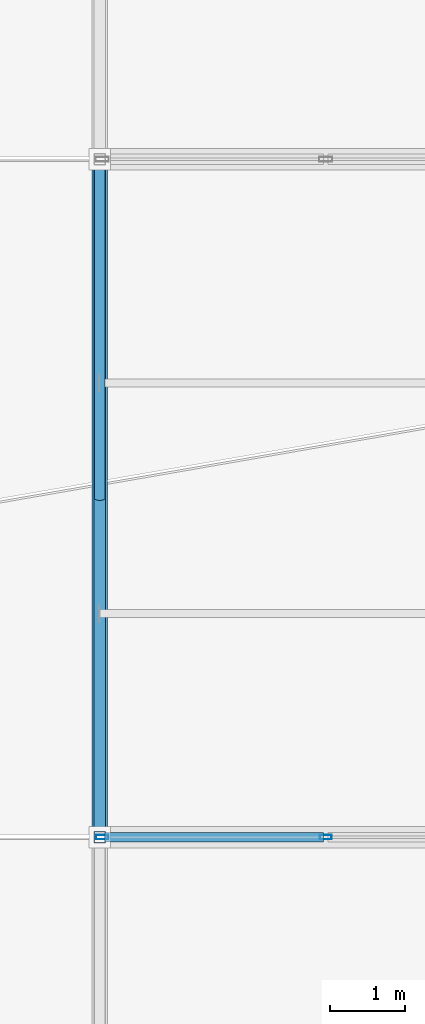
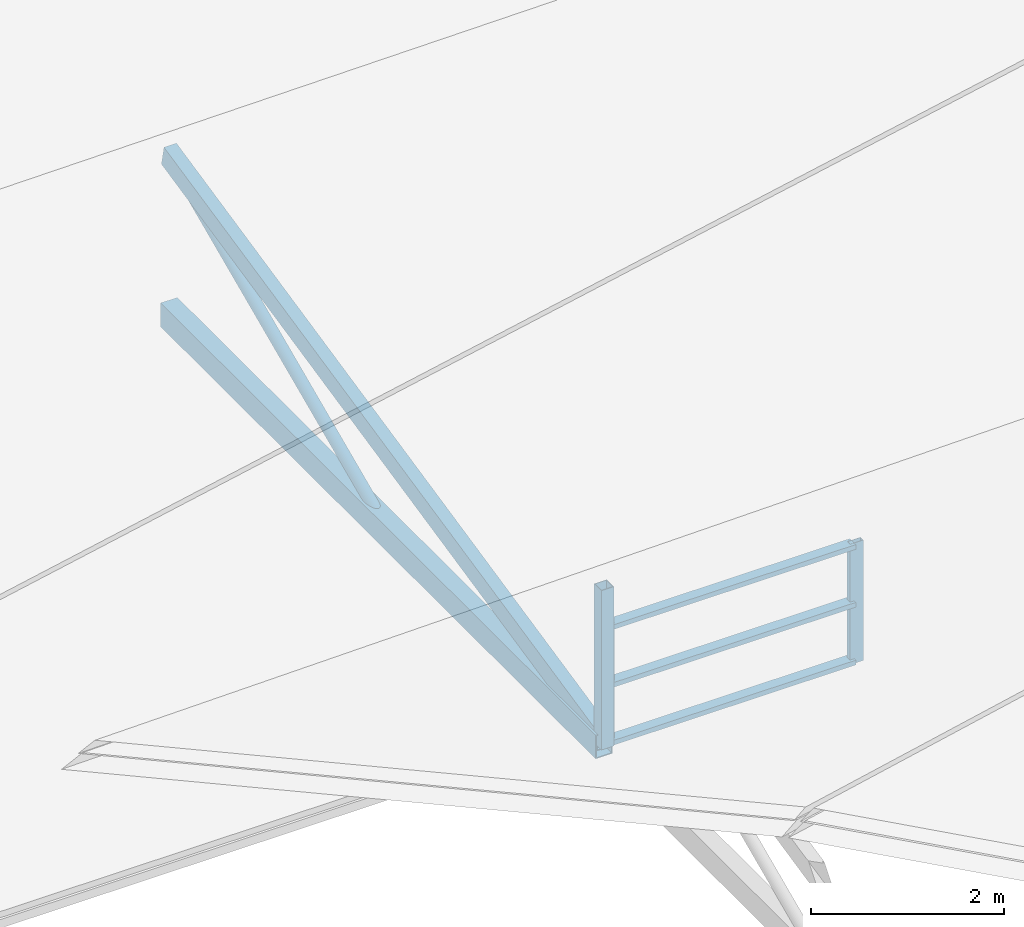
# One storey, part 25 of 103: 9 members, 1 element without a shape of its own.
"""IFC4 building model written with IfcOpenShell, lengths in metres."""

from ifc_helpers import new_model, si_unit, direction, frame, origin, origin_2d, place, context, subcontext, project, spatial, hollow_rectangle, hollow_circle, extrude, material, layer, layer_set, material_profile, profile_set, type_object, element, aggregate, save


model = new_model("IFC4")

# Units and contexts
model_context = context("Model", 3, precision=1e-05, world=origin(), true_north=direction((0.0, 1.0)))
body_context = subcontext(model_context, "Body", "Model", "MODEL_VIEW")
ifc_project = project(units=[si_unit("LENGTHUNIT", "METRE"), si_unit("AREAUNIT", "SQUARE_METRE"), si_unit("VOLUMEUNIT", "CUBIC_METRE"), si_unit("PLANEANGLEUNIT", "RADIAN"), si_unit("MASSUNIT", "GRAM", prefix="KILO")], contexts=[model_context])

# Site, building, storey
site_placement = place(None, origin())
site = spatial("IfcSite", under=ifc_project, at=site_placement, CompositionType="ELEMENT")
building_placement = place(site_placement, origin())
building = spatial("IfcBuilding", under=site, at=building_placement, Name="Deido Ridge Mobility Hub", CompositionType="ELEMENT")
storey_placement = place(building_placement, frame((0.0, 0.0, 12.60009765625)))
storey = spatial("IfcBuildingStorey", under=building, at=storey_placement, Name="L03", CompositionType="ELEMENT", Elevation=12.60009765625)

# Member
ifc_material_1 = material(Name="Steel S355J2H EN 10210-1", Category="steel")
ifc_material_profile_1 = material_profile(ifc_material_1, hollow_rectangle(XDim=0.199951171875, YDim=0.300048828125, WallThickness=0.012451171875, at=origin_2d()), Name="RHS 300x200x12.5")
ifc_profile_set_1 = profile_set([ifc_material_profile_1], Name="Steel S355J2H EN 10210-1")
member_type_1 = type_object("IfcMemberType", Name="MEM-CHD-RHS300", PredefinedType="CHORD", material=ifc_profile_set_1)
member_1_placement = place(storey_placement, frame((27.0, 63.0, 0.0), z_axis=(0.0, 1.0, 0.0), x_axis=(-1.0, 0.0, 0.0)))
element("IfcMember", 1, at=member_1_placement, inside=storey, type_object=member_type_1, Name="Sawtooth bottom chord CH1", PredefinedType="CHORD", context=body_context, shape_type="SweptSolid", body=[
    extrude(hollow_rectangle(XDim=0.199951171875, YDim=0.300048828125, WallThickness=0.012451171875, at=origin_2d()), origin(), (0.0, 0.0, 1.0), 9.0),
])

# Curtain wall, members
ifc_material_2 = material(Name="Anodised aluminium EN AW-6063 T6", Category="aluminium")
ifc_layer = layer(ifc_material_2, 0.14404296875, Name="Anodised aluminium EN AW-6063 T6")
ifc_layer_set = layer_set([ifc_layer], Name="Anodised aluminium EN AW-6063 T6")
curtain_wall_type = type_object("IfcCurtainWallType", Name="CW-GS-2", PredefinedType="USERDEFINED", material=ifc_layer_set)
curtain_wall_placement = place(storey_placement, origin())
curtain_wall = element("IfcCurtainWall", 2, at=curtain_wall_placement, inside=storey, type_object=curtain_wall_type, Name="Unitised curtain wall GS2", ObjectType="GLAZED SCREEN", PredefinedType="USERDEFINED")
ifc_material_profile_2 = material_profile(ifc_material_2, hollow_rectangle(XDim=0.06005859375, YDim=0.159912109375, WallThickness=0.00390625, at=origin_2d()), Name="RHS 60x160x4")
ifc_profile_set_2 = profile_set([ifc_material_profile_2], Name="Anodised aluminium EN AW-6063 T6")
member_type_2 = type_object("IfcMemberType", Name="MEM-MUL-60X160", PredefinedType="MULLION", material=ifc_profile_set_2)
member_2_placement = place(storey_placement, frame((27.030029296875, 63.0, 0.0), z_axis=(0.0, 0.0, 1.0), x_axis=(0.0, 1.0, 0.0)))
member_2 = element("IfcMember", 3, at=member_2_placement, type_object=member_type_2, Name="GS2 mullion 1", PredefinedType="MULLION", context=body_context, shape_type="SweptSolid", body=[
    extrude(hollow_rectangle(XDim=0.06005859375, YDim=0.159912109375, WallThickness=0.00390625, at=origin_2d()), origin(), (0.0, 0.0, 1.0), 1.52001953125),
])
member_3_placement = place(storey_placement, frame((30.0, 63.0, 0.0), z_axis=(0.0, 0.0, 1.0), x_axis=(0.0, 1.0, 0.0)))
member_3 = element("IfcMember", 4, at=member_3_placement, type_object=member_type_2, Name="GS2 mullion 2", PredefinedType="MULLION", context=body_context, shape_type="SweptSolid", body=[
    extrude(hollow_rectangle(XDim=0.06005859375, YDim=0.159912109375, WallThickness=0.00390625, at=origin_2d()), origin(), (0.0, 0.0, 1.0), 1.52001953125),
])

# Members
ifc_material_profile_3 = material_profile(ifc_material_1, hollow_rectangle(XDim=0.14990234375, YDim=0.14990234375, WallThickness=0.008056640625, at=origin_2d()), Name="SHS 150x150x8")
ifc_profile_set_3 = profile_set([ifc_material_profile_3], Name="Steel S355J2H EN 10210-1")
member_type_3 = type_object("IfcMemberType", Name="MEM-PST-SHS150", PredefinedType="POST", material=ifc_profile_set_3)
member_4_placement = place(storey_placement, frame((27.0, 63.0, 0.0), z_axis=(0.0, 0.0, 1.0), x_axis=(1.0, 0.0, 0.0)))
element("IfcMember", 5, at=member_4_placement, inside=storey, type_object=member_type_3, Name="Sawtooth clerestory post PS1", PredefinedType="POST", context=body_context, shape_type="SweptSolid", body=[
    extrude(hollow_rectangle(XDim=0.14990234375, YDim=0.14990234375, WallThickness=0.008056640625, at=origin_2d()), origin(), (0.0, 0.0, 1.0), 2.010009765625),
])
ifc_material_profile_4 = material_profile(ifc_material_1, hollow_rectangle(XDim=0.14990234375, YDim=0.25, WallThickness=0.010009765625, at=origin_2d()), Name="RHS 250x150x10")
ifc_profile_set_4 = profile_set([ifc_material_profile_4], Name="Steel S355J2H EN 10210-1")
member_type_4 = type_object("IfcMemberType", Name="MEM-RAF-RHS250", PredefinedType="RAFTER", material=ifc_profile_set_4)
member_5_placement = place(storey_placement, frame((27.0, 63.0, 0.0498046875), z_axis=(0.0, 0.977318750548, 0.211773605126), x_axis=(-1.0, 0.0, 0.0)))
element("IfcMember", 6, at=member_5_placement, inside=storey, type_object=member_type_4, Name="Sawtooth sloped rafter RF1", PredefinedType="RAFTER", context=body_context, shape_type="SweptSolid", body=[
    extrude(hollow_rectangle(XDim=0.14990234375, YDim=0.25, WallThickness=0.010009765625, at=origin_2d()), origin(), (0.0, 0.0, 1.0), 9.208984375),
])
ifc_material_profile_5 = material_profile(ifc_material_1, hollow_circle(Radius=0.06982421875, WallThickness=0.00634765625, at=origin_2d()), Name="CHS 139.7x6.3")
ifc_profile_set_5 = profile_set([ifc_material_profile_5], Name="Steel S355J2H EN 10210-1")
member_type_5 = type_object("IfcMemberType", Name="MEM-STR-CHS140", PredefinedType="STRUT", material=ifc_profile_set_5)
member_6_placement = place(storey_placement, frame((27.0, 67.5, 0.0), z_axis=(0.0, 0.91381154862, 0.406138466053), x_axis=(-1.0, 0.0, 0.0)))
element("IfcMember", 7, at=member_6_placement, inside=storey, type_object=member_type_5, Name="Sawtooth web strut SR2", PredefinedType="STRUT", context=body_context, shape_type="SweptSolid", body=[
    extrude(hollow_circle(Radius=0.06982421875, WallThickness=0.00634765625, at=origin_2d()), origin(), (0.0, 0.0, 1.0), 4.92431640625),
])

# Member
ifc_material_profile_6 = material_profile(ifc_material_2, hollow_rectangle(XDim=0.125, YDim=0.06005859375, WallThickness=0.00390625, at=origin_2d()), Name="RHS 125x60x4")
ifc_profile_set_6 = profile_set([ifc_material_profile_6], Name="Anodised aluminium EN AW-6063 T6")
member_type_6 = type_object("IfcMemberType", Name="MEM-TRN-125X60", PredefinedType="USERDEFINED", material=ifc_profile_set_6)
member_7_placement = place(storey_placement, frame((27.06005859375, 63.0, 0.02978515625), z_axis=(1.0, 0.0, 0.0), x_axis=(0.0, 1.0, 0.0)))
member_7 = element("IfcMember", 8, at=member_7_placement, type_object=member_type_6, Name="GS2 transom 1.1", ObjectType="TRANSOM", PredefinedType="USERDEFINED", context=body_context, shape_type="SweptSolid", body=[
    extrude(hollow_rectangle(XDim=0.125, YDim=0.06005859375, WallThickness=0.00390625, at=origin_2d()), origin(), (0.0, 0.0, 1.0), 2.909912109375),
])

member_8_placement = place(storey_placement, frame((27.06005859375, 63.0, 0.760009765625), z_axis=(1.0, 0.0, 0.0), x_axis=(0.0, 1.0, 0.0)))
member_8 = element("IfcMember", 9, at=member_8_placement, type_object=member_type_6, Name="GS2 transom 1.2", ObjectType="TRANSOM", PredefinedType="USERDEFINED", context=body_context, shape_type="SweptSolid", body=[
    extrude(hollow_rectangle(XDim=0.125, YDim=0.06005859375, WallThickness=0.00390625, at=origin_2d()), origin(), (0.0, 0.0, 1.0), 2.909912109375),
])

member_9_placement = place(storey_placement, frame((27.06005859375, 63.0, 1.489990234375), z_axis=(1.0, 0.0, 0.0), x_axis=(0.0, 1.0, 0.0)))
member_9 = element("IfcMember", 10, at=member_9_placement, type_object=member_type_6, Name="GS2 transom 1.3", ObjectType="TRANSOM", PredefinedType="USERDEFINED", context=body_context, shape_type="SweptSolid", body=[
    extrude(hollow_rectangle(XDim=0.125, YDim=0.06005859375, WallThickness=0.00390625, at=origin_2d()), origin(), (0.0, 0.0, 1.0), 2.909912109375),
])

aggregate(curtain_wall, [member_2, member_3, member_7, member_8, member_9])

save(model, "model.ifc")
